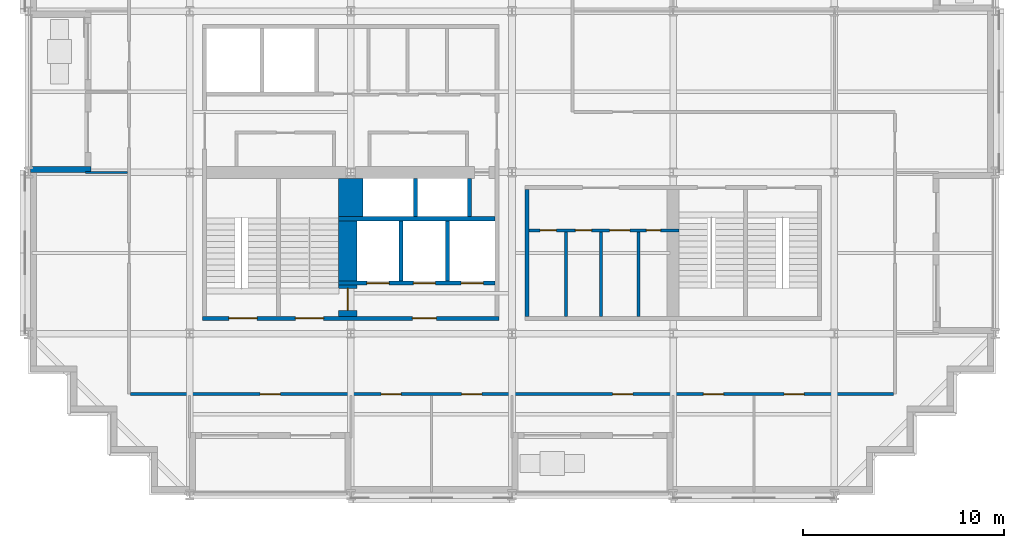
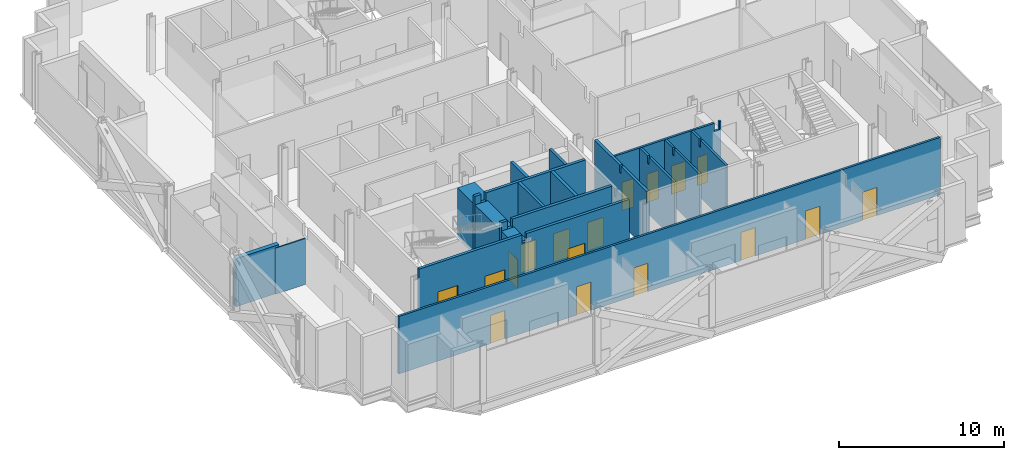
# One storey, part 5 of 14: 18 walls, 17 doors, 17 openings.
"""IFC4 building model written with IfcOpenShell, lengths in metres."""

from ifc_helpers import new_model, si_unit, direction, frame, frame_2d, origin, place, context, subcontext, project, spatial, polyline, rectangle, outline, extrude, material, layer, layer_set, type_object, element, fill, save


model = new_model("IFC4")

# Units and contexts
model_context = context("Model", 3, precision=1e-05, world=origin(), true_north=direction((0.0, 1.0)))
body_context = subcontext(model_context, "Body", "Model", "MODEL_VIEW")
ifc_project = project(units=[si_unit("LENGTHUNIT", "METRE"), si_unit("AREAUNIT", "SQUARE_METRE"), si_unit("VOLUMEUNIT", "CUBIC_METRE"), si_unit("PLANEANGLEUNIT", "RADIAN"), si_unit("MASSUNIT", "GRAM", prefix="KILO")], contexts=[model_context])

# Site, building, storey
site_placement = place(None, origin())
site = spatial("IfcSite", under=ifc_project, at=site_placement, CompositionType="ELEMENT")
building_placement = place(site_placement, origin())
building = spatial("IfcBuilding", under=site, at=building_placement, Name="Immortelle Media Tower", CompositionType="ELEMENT")
storey_placement = place(building_placement, frame((0.0, 0.0, 48.0)))
storey = spatial("IfcBuildingStorey", under=building, at=storey_placement, Name="L07", CompositionType="ELEMENT", Elevation=48.0)

# Wall, openings, doors
ifc_material_1 = material(Name="Fire-rated gypsum board", Category="gypsum")
ifc_layer_1 = layer(ifc_material_1, 0.02490234375)
ifc_material_2 = material(Name="Steel ASTM A653 SS Gr 50 stud frame with mineral wool", Category="steel")
ifc_layer_2 = layer(ifc_material_2, 0.10009765625)
ifc_layer_3 = layer(ifc_material_1, 0.02490234375)
ifc_layer_set_1 = layer_set([ifc_layer_1, ifc_layer_2, ifc_layer_3], Name="Steel ASTM A653 SS Gr 50 stud frame with mineral wool")
wall_type_1 = type_object("IfcWallType", Name="Core partition 150", PredefinedType="PARTITIONING", material=ifc_layer_set_1)
wall_1_placement = place(storey_placement, frame((24.85009765625, 13.125, 0.0), z_axis=(0.0, 0.0, 1.0), x_axis=(1.0, 0.0, 0.0)))
wall_1 = element("IfcWall", 1, at=wall_1_placement, inside=storey, type_object=wall_type_1, Name="Core partition SE", PredefinedType="PARTITIONING", context=body_context, shape_type="SweptSolid", body=[
    extrude(outline(polyline([(0.0, 0.0), (7.449951171875, 0.0), (7.449951171875, 4.25), (7.31689453125, 4.25), (7.31591796875, 3.632080078125), (6.98388671875, 3.632080078125), (6.98291015625, 4.25), (0.0, 4.25), (0.0, 0.0)])), frame((0.0, 0.074951171875, 0.0), z_axis=(0.0, -1.0, 0.0), x_axis=(1.0, 0.0, 0.0)), (0.0, 0.0, 1.0), 0.14990234375),
])
opening_1_placement = place(wall_1_placement, frame((1.35009765625, 0.0, 0.0), z_axis=(0.0, 0.0, 1.0), x_axis=(-1.0, 0.0, 0.0)))
opening_1 = element("IfcOpeningElement", 2, at=opening_1_placement, cuts=wall_1, Name="Opening N2-K017", PredefinedType="OPENING", context=body_context, shape_type="SweptSolid", body=[
    extrude(rectangle(XDim=0.800048828125, YDim=2.10009765625, at=frame_2d((0.39990234375, 1.050048828125))), frame((0.0, 0.0849609375, 0.0), z_axis=(0.0, -1.0, 0.0), x_axis=(1.0, 0.0, 0.0)), (0.0, 0.0, 1.0), 0.169921875),
])
opening_2_placement = place(wall_1_placement, frame((3.10009765625, 0.0, 0.0), z_axis=(0.0, 0.0, 1.0), x_axis=(-1.0, 0.0, 0.0)))
opening_2 = element("IfcOpeningElement", 3, at=opening_2_placement, cuts=wall_1, Name="Opening N2-K018", PredefinedType="OPENING", context=body_context, shape_type="SweptSolid", body=[
    extrude(rectangle(XDim=0.800048828125, YDim=2.10009765625, at=frame_2d((0.39990234375, 1.050048828125))), frame((0.0, 0.0849609375, 0.0), z_axis=(0.0, -1.0, 0.0), x_axis=(1.0, 0.0, 0.0)), (0.0, 0.0, 1.0), 0.169921875),
])
opening_3_placement = place(wall_1_placement, frame((5.0, 0.0, 0.0), z_axis=(0.0, 0.0, 1.0), x_axis=(-1.0, 0.0, 0.0)))
opening_3 = element("IfcOpeningElement", 4, at=opening_3_placement, cuts=wall_1, Name="Opening N2-K020", PredefinedType="OPENING", context=body_context, shape_type="SweptSolid", body=[
    extrude(rectangle(XDim=1.0, YDim=2.10009765625, at=frame_2d((0.5, 1.050048828125))), frame((0.0, 0.0849609375, 0.0), z_axis=(0.0, -1.0, 0.0), x_axis=(1.0, 0.0, 0.0)), (0.0, 0.0, 1.0), 0.169921875),
])
opening_4_placement = place(wall_1_placement, frame((6.52490234375, 0.0, 0.0), z_axis=(0.0, 0.0, 1.0), x_axis=(-1.0, 0.0, 0.0)))
opening_4 = element("IfcOpeningElement", 5, at=opening_4_placement, cuts=wall_1, Name="Opening N2-K021", PredefinedType="OPENING", context=body_context, shape_type="SweptSolid", body=[
    extrude(rectangle(XDim=0.699951171875, YDim=2.10009765625, at=frame_2d((0.35009765625, 1.050048828125))), frame((0.0, 0.0849609375, 0.0), z_axis=(0.0, -1.0, 0.0), x_axis=(1.0, 0.0, 0.0)), (0.0, 0.0, 1.0), 0.169921875),
])
ifc_material_3 = material(Name="Timber", Category="wood")
door_type_1 = type_object("IfcDoorType", Name="Accessible toilet door 1000 x 2100", OperationType="NOTDEFINED", PredefinedType="NOTDEFINED", material=ifc_material_3)
door_1_placement = place(opening_3_placement, origin())
door_1 = element("IfcDoor", 6, at=door_1_placement, inside=storey, type_object=door_type_1, Name="Accessible toilet N2-K020", OperationType="SINGLE_SWING_RIGHT", OverallHeight=2.10009765625, OverallWidth=1.0, PredefinedType="NOTDEFINED", context=body_context, shape_type="SweptSolid", body=[
    extrude(rectangle(XDim=1.0, YDim=2.10009765625, at=frame_2d((0.5, 1.050048828125))), frame((0.0, 0.02490234375, 0.0), z_axis=(0.0, -1.0, 0.0), x_axis=(1.0, 0.0, 0.0)), (0.0, 0.0, 1.0), 0.050048828125),
])
fill(opening_3, door_1)
ifc_material_4 = material(Name="Galvanised steel door leaf and frame ASTM A653", Category="steel")
door_type_2 = type_object("IfcDoorType", Name="Service door 700 x 2100", OperationType="NOTDEFINED", PredefinedType="NOTDEFINED", material=ifc_material_4)
door_2_placement = place(opening_4_placement, origin())
door_2 = element("IfcDoor", 7, at=door_2_placement, inside=storey, type_object=door_type_2, Name="Service N2-K021", OperationType="SINGLE_SWING_LEFT", OverallHeight=2.10009765625, OverallWidth=0.699951171875, PredefinedType="NOTDEFINED", context=body_context, shape_type="SweptSolid", body=[
    extrude(rectangle(XDim=0.699951171875, YDim=2.10009765625, at=frame_2d((0.35009765625, 1.050048828125))), frame((0.0, 0.02490234375, 0.0), z_axis=(0.0, -1.0, 0.0), x_axis=(1.0, 0.0, 0.0)), (0.0, 0.0, 1.0), 0.050048828125),
])
fill(opening_4, door_2)
door_type_3 = type_object("IfcDoorType", Name="Toilet door 800 x 2100", OperationType="NOTDEFINED", PredefinedType="NOTDEFINED", material=ifc_material_3)
door_3_placement = place(opening_1_placement, origin())
door_3 = element("IfcDoor", 8, at=door_3_placement, inside=storey, type_object=door_type_3, Name="Toilet N2-K017", OperationType="SINGLE_SWING_LEFT", OverallHeight=2.10009765625, OverallWidth=0.800048828125, PredefinedType="NOTDEFINED", context=body_context, shape_type="SweptSolid", body=[
    extrude(rectangle(XDim=0.800048828125, YDim=2.10009765625, at=frame_2d((0.39990234375, 1.050048828125))), frame((0.0, 0.02490234375, 0.0), z_axis=(0.0, -1.0, 0.0), x_axis=(1.0, 0.0, 0.0)), (0.0, 0.0, 1.0), 0.050048828125),
])
fill(opening_1, door_3)
door_4_placement = place(opening_2_placement, origin())
door_4 = element("IfcDoor", 9, at=door_4_placement, inside=storey, type_object=door_type_3, Name="Toilet N2-K018", OperationType="SINGLE_SWING_RIGHT", OverallHeight=2.10009765625, OverallWidth=0.800048828125, PredefinedType="NOTDEFINED", context=body_context, shape_type="SweptSolid", body=[
    extrude(rectangle(XDim=0.800048828125, YDim=2.10009765625, at=frame_2d((0.39990234375, 1.050048828125))), frame((0.0, 0.02490234375, 0.0), z_axis=(0.0, -1.0, 0.0), x_axis=(1.0, 0.0, 0.0)), (0.0, 0.0, 1.0), 0.050048828125),
])
fill(opening_2, door_4)

# Walls
for number, where, z_axis, x_axis, name in (
    (10, (26.675048828125, 8.85009765625, 0.0), (0.0, 0.0, 1.0), (0.0, 1.0, 0.0), "Core partition SE"),
    (11, (28.425048828125, 8.85009765625, 0.0), (0.0, 0.0, 1.0), (0.0, 1.0, 0.0), "Core partition SE"),
    (12, (30.27490234375, 8.85009765625, 0.0), (0.0, 0.0, 1.0), (0.0, 1.0, 0.0), "Core partition SE"),
):
    element("IfcWall", number, at=place(storey_placement, frame(where, z_axis=z_axis, x_axis=x_axis)), inside=storey, type_object=wall_type_1, Name=name, PredefinedType="PARTITIONING", context=body_context, shape_type="SweptSolid", body=[
        extrude(outline(polyline([(0.0, 0.0), (4.199951171875, 0.0), (4.199951171875, 4.25), (3.238525390625, 4.25), (3.237548828125, 3.7080078125), (3.0625, 3.7080078125), (3.0615234375, 4.25), (0.0, 4.25), (0.0, 0.0)])), frame((0.0, 0.074951171875, 0.0), z_axis=(0.0, -1.0, 0.0), x_axis=(1.0, 0.0, 0.0)), (0.0, 0.0, 1.0), 0.14990234375),
    ])

# Wall, openings, doors
ifc_layer_4 = layer(ifc_material_1, 0.03759765625)
ifc_layer_5 = layer(ifc_material_2, 0.125)
ifc_layer_6 = layer(ifc_material_1, 0.03759765625)
ifc_layer_set_2 = layer_set([ifc_layer_4, ifc_layer_5, ifc_layer_6], Name="Steel ASTM A653 SS Gr 50 stud frame with mineral wool")
wall_type_2 = type_object("IfcWallType", Name="Core shaft wall 200", PredefinedType="PARTITIONING", material=ifc_layer_set_2)
wall_2_placement = place(storey_placement, frame((15.39990234375, 10.5, 0.0), z_axis=(0.0, 0.0, 1.0), x_axis=(1.0, 0.0, 0.0)))
wall_2 = element("IfcWall", 13, at=wall_2_placement, inside=storey, type_object=wall_type_2, Name="Core shaft wall SW", PredefinedType="PARTITIONING", context=body_context, shape_type="SweptSolid", body=[
    extrude(outline(polyline([(0.0, 0.0), (7.75, 0.0), (7.75, 4.25), (0.76708984375, 4.25), (0.76611328125, 3.632080078125), (0.43408203125, 3.632080078125), (0.43310546875, 4.25), (0.0, 4.25), (0.0, 0.0)])), frame((0.0, 0.10009765625, 0.0), z_axis=(0.0, -1.0, 0.0), x_axis=(1.0, 0.0, 0.0)), (0.0, 0.0, 1.0), 0.199951171875),
])
opening_5_placement = place(wall_2_placement, frame((1.39990234375, 0.0, 0.0)))
opening_5 = element("IfcOpeningElement", 14, at=opening_5_placement, cuts=wall_2, Name="Opening LD", PredefinedType="OPENING", context=body_context, shape_type="SweptSolid", body=[
    extrude(rectangle(XDim=1.10009765625, YDim=2.10009765625, at=frame_2d((0.550048828125, 1.050048828125))), frame((0.0, 0.10986328125, 0.0), z_axis=(0.0, -1.0, 0.0), x_axis=(1.0, 0.0, 0.0)), (0.0, 0.0, 1.0), 0.219970703125),
])
opening_6_placement = place(wall_2_placement, frame((3.699951171875, 0.0, 0.0)))
opening_6 = element("IfcOpeningElement", 15, at=opening_6_placement, cuts=wall_2, Name="Opening LD", PredefinedType="OPENING", context=body_context, shape_type="SweptSolid", body=[
    extrude(rectangle(XDim=1.10009765625, YDim=2.10009765625, at=frame_2d((0.550048828125, 1.050048828125))), frame((0.0, 0.10986328125, 0.0), z_axis=(0.0, -1.0, 0.0), x_axis=(1.0, 0.0, 0.0)), (0.0, 0.0, 1.0), 0.219970703125),
])
opening_7_placement = place(wall_2_placement, frame((6.074951171875, 0.0, 0.0)))
opening_7 = element("IfcOpeningElement", 16, at=opening_7_placement, cuts=wall_2, Name="Opening LD", PredefinedType="OPENING", context=body_context, shape_type="SweptSolid", body=[
    extrude(rectangle(XDim=1.10009765625, YDim=2.10009765625, at=frame_2d((0.550048828125, 1.050048828125))), frame((0.0, 0.10986328125, 0.0), z_axis=(0.0, -1.0, 0.0), x_axis=(1.0, 0.0, 0.0)), (0.0, 0.0, 1.0), 0.219970703125),
])
ifc_material_5 = material(Name="Stainless steel AISI 304", Category="steel")
door_type_4 = type_object("IfcDoorType", Name="Landing door 1100 x 2100", OperationType="SLIDING_TO_LEFT", PredefinedType="NOTDEFINED", material=ifc_material_5)
door_5_placement = place(opening_5_placement, origin())
door_5 = element("IfcDoor", 17, at=door_5_placement, inside=storey, type_object=door_type_4, Name="Landing door FF1 L07", OperationType="SLIDING_TO_LEFT", OverallHeight=2.10009765625, OverallWidth=1.10009765625, PredefinedType="NOTDEFINED", context=body_context, shape_type="SweptSolid", body=[
    extrude(rectangle(XDim=1.10009765625, YDim=2.10009765625, at=frame_2d((0.550048828125, 1.050048828125))), frame((0.0, 0.02490234375, 0.0), z_axis=(0.0, -1.0, 0.0), x_axis=(1.0, 0.0, 0.0)), (0.0, 0.0, 1.0), 0.050048828125),
])
fill(opening_5, door_5)
door_6_placement = place(opening_6_placement, origin())
door_6 = element("IfcDoor", 18, at=door_6_placement, inside=storey, type_object=door_type_4, Name="Landing door FF2 L07", OperationType="SLIDING_TO_LEFT", OverallHeight=2.10009765625, OverallWidth=1.10009765625, PredefinedType="NOTDEFINED", context=body_context, shape_type="SweptSolid", body=[
    extrude(rectangle(XDim=1.10009765625, YDim=2.10009765625, at=frame_2d((0.550048828125, 1.050048828125))), frame((0.0, 0.02490234375, 0.0), z_axis=(0.0, -1.0, 0.0), x_axis=(1.0, 0.0, 0.0)), (0.0, 0.0, 1.0), 0.050048828125),
])
fill(opening_6, door_6)
door_7_placement = place(opening_7_placement, origin())
door_7 = element("IfcDoor", 19, at=door_7_placement, inside=storey, type_object=door_type_4, Name="Landing door FF3 L07", OperationType="SLIDING_TO_LEFT", OverallHeight=2.10009765625, OverallWidth=1.10009765625, PredefinedType="NOTDEFINED", context=body_context, shape_type="SweptSolid", body=[
    extrude(rectangle(XDim=1.10009765625, YDim=2.10009765625, at=frame_2d((0.550048828125, 1.050048828125))), frame((0.0, 0.02490234375, 0.0), z_axis=(0.0, -1.0, 0.0), x_axis=(1.0, 0.0, 0.0)), (0.0, 0.0, 1.0), 0.050048828125),
])
fill(opening_7, door_7)

# Walls
wall_3_placement = place(storey_placement, frame((15.39990234375, 13.699951171875, 0.0), z_axis=(0.0, 0.0, 1.0), x_axis=(1.0, 0.0, 0.0)))
element("IfcWall", 20, at=wall_3_placement, inside=storey, type_object=wall_type_2, Name="Core shaft wall SW", PredefinedType="PARTITIONING", context=body_context, shape_type="SweptSolid", body=[
    extrude(outline(polyline([(0.0, 0.0), (7.75, 0.0), (7.75, 4.25), (0.76708984375, 4.25), (0.76611328125, 3.632080078125), (0.43408203125, 3.632080078125), (0.43310546875, 4.25), (0.0, 4.25), (0.0, 0.0)])), frame((0.0, 0.10009765625, 0.0), z_axis=(0.0, -1.0, 0.0), x_axis=(1.0, 0.0, 0.0)), (0.0, 0.0, 1.0), 0.199951171875),
])
wall_4_placement = place(storey_placement, frame((18.5, 10.60009765625, 0.0), z_axis=(0.0, 0.0, 1.0), x_axis=(0.0, 1.0, 0.0)))
element("IfcWall", 21, at=wall_4_placement, inside=storey, type_object=wall_type_2, Name="Core shaft wall SW", PredefinedType="PARTITIONING", context=body_context, shape_type="SweptSolid", body=[
    extrude(rectangle(XDim=3.0, YDim=0.199951171875, at=frame_2d((1.5, 0.0))), origin(), (0.0, 0.0, 1.0), 4.25),
])
wall_5_placement = place(storey_placement, frame((19.199951171875, 13.800048828125, 0.0), z_axis=(0.0, 0.0, 1.0), x_axis=(0.0, 1.0, 0.0)))
element("IfcWall", 22, at=wall_5_placement, inside=storey, type_object=wall_type_2, Name="Core shaft wall SW", PredefinedType="PARTITIONING", context=body_context, shape_type="SweptSolid", body=[
    extrude(rectangle(XDim=1.89990234375, YDim=0.199951171875, at=frame_2d((0.949951171875, 0.0))), origin(), (0.0, 0.0, 1.0), 4.25),
])
wall_6_placement = place(storey_placement, frame((20.800048828125, 10.60009765625, 0.0), z_axis=(0.0, 0.0, 1.0), x_axis=(0.0, 1.0, 0.0)))
element("IfcWall", 23, at=wall_6_placement, inside=storey, type_object=wall_type_2, Name="Core shaft wall SW", PredefinedType="PARTITIONING", context=body_context, shape_type="SweptSolid", body=[
    extrude(rectangle(XDim=3.0, YDim=0.199951171875, at=frame_2d((1.5, 0.0))), origin(), (0.0, 0.0, 1.0), 4.25),
])
wall_7_placement = place(storey_placement, frame((21.89990234375, 13.800048828125, 0.0), z_axis=(0.0, 0.0, 1.0), x_axis=(0.0, 1.0, 0.0)))
element("IfcWall", 24, at=wall_7_placement, inside=storey, type_object=wall_type_2, Name="Core shaft wall SW", PredefinedType="PARTITIONING", context=body_context, shape_type="SweptSolid", body=[
    extrude(rectangle(XDim=1.89990234375, YDim=0.199951171875, at=frame_2d((0.949951171875, 0.0))), origin(), (0.0, 0.0, 1.0), 4.25),
])
wall_8_placement = place(storey_placement, frame((24.75, 8.85009765625, 0.0), z_axis=(0.0, 0.0, 1.0), x_axis=(0.0, 1.0, 0.0)))
element("IfcWall", 25, at=wall_8_placement, inside=storey, type_object=wall_type_2, Name="Core shaft wall SE", PredefinedType="PARTITIONING", context=body_context, shape_type="SweptSolid", body=[
    extrude(outline(polyline([(0.0, 0.0), (6.2998046875, 0.0), (6.300048828125, 4.25), (3.238525390625, 4.25), (3.237548828125, 3.7080078125), (3.0625, 3.7080078125), (3.0615234375, 4.25), (0.0, 4.25), (0.0, 0.0)])), frame((0.0, 0.10009765625, 0.0), z_axis=(0.0, -1.0, 0.0), x_axis=(1.0, 0.0, 0.0)), (0.0, 0.0, 1.0), 0.199951171875),
])

# Wall, openings, doors
ifc_layer_7 = layer(ifc_material_1, 0.012451171875)
ifc_layer_8 = layer(ifc_material_2, 0.125)
ifc_layer_9 = layer(ifc_material_1, 0.012451171875)
ifc_layer_set_3 = layer_set([ifc_layer_7, ifc_layer_8, ifc_layer_9], Name="Steel ASTM A653 SS Gr 50 stud frame with mineral wool")
wall_type_3 = type_object("IfcWallType", Name="Corridor wall 150", PredefinedType="PARTITIONING", material=ifc_layer_set_3)
wall_9_placement = place(storey_placement, frame((5.074951171875, 5.0, 0.0), z_axis=(0.0, 0.0, 1.0), x_axis=(1.0, 0.0, 0.0)))
wall_9 = element("IfcWall", 26, at=wall_9_placement, inside=storey, type_object=wall_type_3, Name="Partition L07-007", PredefinedType="PARTITIONING", context=body_context, shape_type="SweptSolid", body=[
    extrude(rectangle(XDim=37.85009765625, YDim=0.14990234375, at=frame_2d((18.925048828125, 0.0))), origin(), (0.0, 0.0, 1.0), 4.25),
])
opening_8_placement = place(wall_9_placement, frame((13.425048828125, 0.0, 0.0), z_axis=(0.0, 0.0, 1.0), x_axis=(-1.0, 0.0, 0.0)))
opening_8 = element("IfcOpeningElement", 27, at=opening_8_placement, cuts=wall_9, Name="Opening N2-F001", PredefinedType="OPENING", context=body_context, shape_type="SweptSolid", body=[
    extrude(rectangle(XDim=1.0, YDim=2.10009765625, at=frame_2d((0.5, 1.050048828125))), frame((0.0, 0.0849609375, 0.0), z_axis=(0.0, -1.0, 0.0), x_axis=(1.0, 0.0, 0.0)), (0.0, 0.0, 1.0), 0.169921875),
])
opening_9_placement = place(wall_9_placement, frame((17.425048828125, 0.0, 0.0), z_axis=(0.0, 0.0, 1.0), x_axis=(-1.0, 0.0, 0.0)))
opening_9 = element("IfcOpeningElement", 28, at=opening_9_placement, cuts=wall_9, Name="Opening N2-F002", PredefinedType="OPENING", context=body_context, shape_type="SweptSolid", body=[
    extrude(rectangle(XDim=1.0, YDim=2.10009765625, at=frame_2d((0.5, 1.050048828125))), frame((0.0, 0.0849609375, 0.0), z_axis=(0.0, -1.0, 0.0), x_axis=(1.0, 0.0, 0.0)), (0.0, 0.0, 1.0), 0.169921875),
])
opening_10_placement = place(wall_9_placement, frame((29.425048828125, 0.0, 0.0), z_axis=(0.0, 0.0, 1.0), x_axis=(-1.0, 0.0, 0.0)))
opening_10 = element("IfcOpeningElement", 29, at=opening_10_placement, cuts=wall_9, Name="Opening N2-F003", PredefinedType="OPENING", context=body_context, shape_type="SweptSolid", body=[
    extrude(rectangle(XDim=1.0, YDim=2.10009765625, at=frame_2d((0.5, 1.050048828125))), frame((0.0, 0.0849609375, 0.0), z_axis=(0.0, -1.0, 0.0), x_axis=(1.0, 0.0, 0.0)), (0.0, 0.0, 1.0), 0.169921875),
])
opening_11_placement = place(wall_9_placement, frame((33.425048828125, 0.0, 0.0), z_axis=(0.0, 0.0, 1.0), x_axis=(-1.0, 0.0, 0.0)))
opening_11 = element("IfcOpeningElement", 30, at=opening_11_placement, cuts=wall_9, Name="Opening N2-F004", PredefinedType="OPENING", context=body_context, shape_type="SweptSolid", body=[
    extrude(rectangle(XDim=1.0, YDim=2.10009765625, at=frame_2d((0.5, 1.050048828125))), frame((0.0, 0.0849609375, 0.0), z_axis=(0.0, -1.0, 0.0), x_axis=(1.0, 0.0, 0.0)), (0.0, 0.0, 1.0), 0.169921875),
])
opening_12_placement = place(wall_9_placement, frame((7.425048828125, 0.0, 0.0), z_axis=(0.0, 0.0, 1.0), x_axis=(-1.0, 0.0, 0.0)))
opening_12 = element("IfcOpeningElement", 31, at=opening_12_placement, cuts=wall_9, Name="Opening N2-F005", PredefinedType="OPENING", context=body_context, shape_type="SweptSolid", body=[
    extrude(rectangle(XDim=1.0, YDim=2.10009765625, at=frame_2d((0.5, 1.050048828125))), frame((0.0, 0.0849609375, 0.0), z_axis=(0.0, -1.0, 0.0), x_axis=(1.0, 0.0, 0.0)), (0.0, 0.0, 1.0), 0.169921875),
])
opening_13_placement = place(wall_9_placement, frame((24.925048828125, 0.0, 0.0), z_axis=(0.0, 0.0, 1.0), x_axis=(-1.0, 0.0, 0.0)))
opening_13 = element("IfcOpeningElement", 32, at=opening_13_placement, cuts=wall_9, Name="Opening N2-F006", PredefinedType="OPENING", context=body_context, shape_type="SweptSolid", body=[
    extrude(rectangle(XDim=1.0, YDim=2.10009765625, at=frame_2d((0.5, 1.050048828125))), frame((0.0, 0.0849609375, 0.0), z_axis=(0.0, -1.0, 0.0), x_axis=(1.0, 0.0, 0.0)), (0.0, 0.0, 1.0), 0.169921875),
])
ifc_material_6 = material(Name="Timber veneered door leaf, galvanised steel frame ASTM A653", Category="steel")
door_type_5 = type_object("IfcDoorType", Name="Room door 1000 x 2100", OperationType="NOTDEFINED", PredefinedType="DOOR", material=ifc_material_6)
door_8_placement = place(opening_8_placement, origin())
door_8 = element("IfcDoor", 33, at=door_8_placement, inside=storey, type_object=door_type_5, Name="Door N2-F001", OperationType="SINGLE_SWING_RIGHT", OverallHeight=2.10009765625, OverallWidth=1.0, PredefinedType="DOOR", context=body_context, shape_type="SweptSolid", body=[
    extrude(rectangle(XDim=1.0, YDim=2.10009765625, at=frame_2d((0.5, 1.050048828125))), frame((0.0, 0.02490234375, 0.0), z_axis=(0.0, -1.0, 0.0), x_axis=(1.0, 0.0, 0.0)), (0.0, 0.0, 1.0), 0.050048828125),
])
fill(opening_8, door_8)
door_9_placement = place(opening_9_placement, origin())
door_9 = element("IfcDoor", 34, at=door_9_placement, inside=storey, type_object=door_type_5, Name="Door N2-F002", OperationType="SINGLE_SWING_LEFT", OverallHeight=2.10009765625, OverallWidth=1.0, PredefinedType="DOOR", context=body_context, shape_type="SweptSolid", body=[
    extrude(rectangle(XDim=1.0, YDim=2.10009765625, at=frame_2d((0.5, 1.050048828125))), frame((0.0, 0.02490234375, 0.0), z_axis=(0.0, -1.0, 0.0), x_axis=(1.0, 0.0, 0.0)), (0.0, 0.0, 1.0), 0.050048828125),
])
fill(opening_9, door_9)
door_10_placement = place(opening_10_placement, origin())
door_10 = element("IfcDoor", 35, at=door_10_placement, inside=storey, type_object=door_type_5, Name="Door N2-F003", OperationType="SINGLE_SWING_RIGHT", OverallHeight=2.10009765625, OverallWidth=1.0, PredefinedType="DOOR", context=body_context, shape_type="SweptSolid", body=[
    extrude(rectangle(XDim=1.0, YDim=2.10009765625, at=frame_2d((0.5, 1.050048828125))), frame((0.0, 0.02490234375, 0.0), z_axis=(0.0, -1.0, 0.0), x_axis=(1.0, 0.0, 0.0)), (0.0, 0.0, 1.0), 0.050048828125),
])
fill(opening_10, door_10)
door_11_placement = place(opening_11_placement, origin())
door_11 = element("IfcDoor", 36, at=door_11_placement, inside=storey, type_object=door_type_5, Name="Door N2-F004", OperationType="SINGLE_SWING_RIGHT", OverallHeight=2.10009765625, OverallWidth=1.0, PredefinedType="DOOR", context=body_context, shape_type="SweptSolid", body=[
    extrude(rectangle(XDim=1.0, YDim=2.10009765625, at=frame_2d((0.5, 1.050048828125))), frame((0.0, 0.02490234375, 0.0), z_axis=(0.0, -1.0, 0.0), x_axis=(1.0, 0.0, 0.0)), (0.0, 0.0, 1.0), 0.050048828125),
])
fill(opening_11, door_11)
door_12_placement = place(opening_12_placement, origin())
door_12 = element("IfcDoor", 37, at=door_12_placement, inside=storey, type_object=door_type_5, Name="Door N2-F005", OperationType="SINGLE_SWING_LEFT", OverallHeight=2.10009765625, OverallWidth=1.0, PredefinedType="DOOR", context=body_context, shape_type="SweptSolid", body=[
    extrude(rectangle(XDim=1.0, YDim=2.10009765625, at=frame_2d((0.5, 1.050048828125))), frame((0.0, 0.02490234375, 0.0), z_axis=(0.0, -1.0, 0.0), x_axis=(1.0, 0.0, 0.0)), (0.0, 0.0, 1.0), 0.050048828125),
])
fill(opening_12, door_12)
door_13_placement = place(opening_13_placement, origin())
door_13 = element("IfcDoor", 38, at=door_13_placement, inside=storey, type_object=door_type_5, Name="Door N2-F006", OperationType="SINGLE_SWING_LEFT", OverallHeight=2.10009765625, OverallWidth=1.0, PredefinedType="DOOR", context=body_context, shape_type="SweptSolid", body=[
    extrude(rectangle(XDim=1.0, YDim=2.10009765625, at=frame_2d((0.5, 1.050048828125))), frame((0.0, 0.02490234375, 0.0), z_axis=(0.0, -1.0, 0.0), x_axis=(1.0, 0.0, 0.0)), (0.0, 0.0, 1.0), 0.050048828125),
])
fill(opening_13, door_13)

# Walls
ifc_material_7 = material(Name="Pale aluminium cladding panel", Category="aluminium")
ifc_layer_10 = layer(ifc_material_7, 0.030029296875)
ifc_layer_11 = layer(ifc_material_2, 0.257568359375)
ifc_material_8 = material(Name="Moisture-resistant gypsum board", Category="gypsum")
ifc_layer_12 = layer(ifc_material_8, 0.012451171875)
ifc_layer_set_4 = layer_set([ifc_layer_10, ifc_layer_11, ifc_layer_12], Name="Steel ASTM A653 SS Gr 50 stud frame with mineral wool")
wall_type_4 = type_object("IfcWallType", Name="Facade wall 300", PredefinedType="SOLIDWALL", material=ifc_layer_set_4)
wall_10_placement = place(storey_placement, frame((0.10009765625, 16.14990234375, 0.0), z_axis=(0.0, 0.0, 1.0), x_axis=(1.0, 0.0, 0.0)))
element("IfcWall", 39, at=wall_10_placement, inside=storey, type_object=wall_type_4, Name="Loggia cheek wall L07 W", PredefinedType="SOLIDWALL", context=body_context, shape_type="SweptSolid", body=[
    extrude(rectangle(XDim=3.0, YDim=0.300048828125, at=frame_2d((1.5, 0.0))), origin(), (0.0, 0.0, 1.0), 3.552978515625),
])
ifc_material_9 = material(Name="Gypsum board", Category="gypsum")
ifc_layer_13 = layer(ifc_material_9, 0.012451171875)
ifc_layer_14 = layer(ifc_material_2, 0.074951171875)
ifc_layer_15 = layer(ifc_material_9, 0.012451171875)
ifc_layer_set_5 = layer_set([ifc_layer_13, ifc_layer_14, ifc_layer_15], Name="Steel ASTM A653 SS Gr 50 stud frame with mineral wool")
wall_type_5 = type_object("IfcWallType", Name="Partition 100", PredefinedType="PARTITIONING", material=ifc_layer_set_5)
wall_11_placement = place(storey_placement, frame((2.830078125, 16.0, 0.0), z_axis=(0.0, 0.0, 1.0), x_axis=(1.0, 0.0, 0.0)))
element("IfcWall", 40, at=wall_11_placement, inside=storey, type_object=wall_type_5, Name="Partition L07-011", PredefinedType="PARTITIONING", context=body_context, shape_type="SweptSolid", body=[
    extrude(rectangle(XDim=2.094970703125, YDim=0.10009765625, at=frame_2d((1.04736328125, 0.0))), origin(), (0.0, 0.0, 1.0), 3.39111328125),
])
ifc_material_10 = material(Name="Concrete C60", Category="concrete")
ifc_layer_16 = layer(ifc_material_10, 1.199951171875)
ifc_layer_set_6 = layer_set([ifc_layer_16], Name="Concrete C60")
wall_type_6 = type_object("IfcWallType", Name="Stair shaft wall 1200", PredefinedType="PARTITIONING", material=ifc_layer_set_6)
wall_12_placement = place(storey_placement, frame((16.0, 13.800048828125, 0.0), z_axis=(0.0, 0.0, 1.0), x_axis=(0.0, 1.0, 0.0)))
element("IfcWall", 41, at=wall_12_placement, inside=storey, type_object=wall_type_6, Name="Stair shaft wall SW", PredefinedType="PARTITIONING", context=body_context, shape_type="SweptSolid", body=[
    extrude(rectangle(XDim=1.89990234375, YDim=1.199951171875, at=frame_2d((0.949951171875, 0.0))), origin(), (0.0, 0.0, 1.0), 3.632080078125),
])

# Wall, openings, doors
ifc_layer_17 = layer(ifc_material_10, 0.199951171875)
ifc_layer_set_7 = layer_set([ifc_layer_17], Name="Concrete C60")
wall_type_7 = type_object("IfcWallType", Name="Stair shaft wall 200", PredefinedType="PARTITIONING", material=ifc_layer_set_7)
wall_13_placement = place(storey_placement, frame((8.64990234375, 8.75, 0.0), z_axis=(0.0, 0.0, 1.0), x_axis=(1.0, 0.0, 0.0)))
wall_13 = element("IfcWall", 42, at=wall_13_placement, inside=storey, type_object=wall_type_7, Name="Stair shaft wall SW", PredefinedType="PARTITIONING", context=body_context, shape_type="SweptSolid", body=[
    extrude(outline(polyline([(0.0, 0.0), (14.7001953125, 0.0), (14.699951171875, 4.25), (7.51708984375, 4.25), (7.51611328125, 3.632080078125), (7.18408203125, 3.632080078125), (7.18310546875, 4.25), (0.0, 4.25), (0.0, 0.0)])), frame((0.0, 0.10009765625, 0.0), z_axis=(0.0, -1.0, 0.0), x_axis=(1.0, 0.0, 0.0)), (0.0, 0.0, 1.0), 0.199951171875),
])
opening_14_placement = place(wall_13_placement, frame((1.300048828125, 0.0, 0.0)))
opening_14 = element("IfcOpeningElement", 43, at=opening_14_placement, cuts=wall_13, Name="Opening N2-K002", PredefinedType="OPENING", context=body_context, shape_type="SweptSolid", body=[
    extrude(rectangle(XDim=1.39990234375, YDim=2.10009765625, at=frame_2d((0.699951171875, 1.050048828125))), frame((0.0, 0.10986328125, 0.0), z_axis=(0.0, -1.0, 0.0), x_axis=(1.0, 0.0, 0.0)), (0.0, 0.0, 1.0), 0.219970703125),
])
opening_15_placement = place(wall_13_placement, frame((4.60009765625, 0.0, 0.0)))
opening_15 = element("IfcOpeningElement", 44, at=opening_15_placement, cuts=wall_13, Name="Opening N2-K004", PredefinedType="OPENING", context=body_context, shape_type="SweptSolid", body=[
    extrude(rectangle(XDim=1.39990234375, YDim=2.10009765625, at=frame_2d((0.699951171875, 1.050048828125))), frame((0.0, 0.10986328125, 0.0), z_axis=(0.0, -1.0, 0.0), x_axis=(1.0, 0.0, 0.0)), (0.0, 0.0, 1.0), 0.219970703125),
])
opening_16_placement = place(wall_13_placement, frame((10.39990234375, 0.0, 0.0)))
opening_16 = element("IfcOpeningElement", 45, at=opening_16_placement, cuts=wall_13, Name="Opening N2-K010", PredefinedType="OPENING", context=body_context, shape_type="SweptSolid", body=[
    extrude(rectangle(XDim=1.199951171875, YDim=2.10009765625, at=frame_2d((0.60009765625, 1.050048828125))), frame((0.0, 0.10986328125, 0.0), z_axis=(0.0, -1.0, 0.0), x_axis=(1.0, 0.0, 0.0)), (0.0, 0.0, 1.0), 0.219970703125),
])
door_type_6 = type_object("IfcDoorType", Name="Fire-fighting lobby door 1200 x 2100", OperationType="NOTDEFINED", PredefinedType="NOTDEFINED", material=ifc_material_4)
door_14_placement = place(opening_16_placement, origin())
door_14 = element("IfcDoor", 46, at=door_14_placement, inside=storey, type_object=door_type_6, Name="Fire-fighting lobby N2-K010", OperationType="SINGLE_SWING_RIGHT", OverallHeight=2.10009765625, OverallWidth=1.199951171875, PredefinedType="NOTDEFINED", context=body_context, shape_type="SweptSolid", body=[
    extrude(rectangle(XDim=1.199951171875, YDim=2.10009765625, at=frame_2d((0.60009765625, 1.050048828125))), frame((0.0, 0.02490234375, 0.0), z_axis=(0.0, -1.0, 0.0), x_axis=(1.0, 0.0, 0.0)), (0.0, 0.0, 1.0), 0.050048828125),
])
fill(opening_16, door_14)
door_type_7 = type_object("IfcDoorType", Name="Stair door 1400 x 2100", OperationType="DOUBLE_DOOR_SINGLE_SWING", PredefinedType="NOTDEFINED", material=ifc_material_4)
door_15_placement = place(opening_14_placement, origin())
door_15 = element("IfcDoor", 47, at=door_15_placement, inside=storey, type_object=door_type_7, Name="Stair N2-K002", OperationType="DOUBLE_DOOR_SINGLE_SWING", OverallHeight=2.10009765625, OverallWidth=1.39990234375, PredefinedType="NOTDEFINED", context=body_context, shape_type="SweptSolid", body=[
    extrude(rectangle(XDim=1.39990234375, YDim=2.10009765625, at=frame_2d((0.699951171875, 1.050048828125))), frame((0.0, 0.02490234375, 0.0), z_axis=(0.0, -1.0, 0.0), x_axis=(1.0, 0.0, 0.0)), (0.0, 0.0, 1.0), 0.050048828125),
])
fill(opening_14, door_15)
door_16_placement = place(opening_15_placement, origin())
door_16 = element("IfcDoor", 48, at=door_16_placement, inside=storey, type_object=door_type_7, Name="Stair N2-K004", OperationType="DOUBLE_DOOR_SINGLE_SWING", OverallHeight=2.10009765625, OverallWidth=1.39990234375, PredefinedType="NOTDEFINED", context=body_context, shape_type="SweptSolid", body=[
    extrude(rectangle(XDim=1.39990234375, YDim=2.10009765625, at=frame_2d((0.699951171875, 1.050048828125))), frame((0.0, 0.02490234375, 0.0), z_axis=(0.0, -1.0, 0.0), x_axis=(1.0, 0.0, 0.0)), (0.0, 0.0, 1.0), 0.050048828125),
])
fill(opening_15, door_16)

# Wall, opening, door
ifc_layer_18 = layer(ifc_material_10, 0.89990234375)
ifc_layer_set_8 = layer_set([ifc_layer_18], Name="Concrete C60")
wall_type_8 = type_object("IfcWallType", Name="Stair shaft wall 900", PredefinedType="PARTITIONING", material=ifc_layer_set_8)
wall_14_placement = place(storey_placement, frame((15.85009765625, 8.85009765625, 0.0), z_axis=(0.0, 0.0, 1.0), x_axis=(0.0, 1.0, 0.0)))
wall_14 = element("IfcWall", 49, at=wall_14_placement, inside=storey, type_object=wall_type_8, Name="Stair shaft wall SW", PredefinedType="PARTITIONING", context=body_context, shape_type="SweptSolid", body=[
    extrude(rectangle(XDim=1.5498046875, YDim=0.89990234375, at=frame_2d((0.77490234375, 0.0))), origin(), (0.0, 0.0, 1.0), 3.632080078125),
])
opening_17_placement = place(wall_14_placement, frame((0.300048828125, 0.0, 0.0)))
opening_17 = element("IfcOpeningElement", 50, at=opening_17_placement, cuts=wall_14, Name="Opening N2-K006", PredefinedType="OPENING", context=body_context, shape_type="SweptSolid", body=[
    extrude(rectangle(XDim=1.10009765625, YDim=2.10009765625, at=frame_2d((0.550048828125, 1.050048828125))), frame((0.0, 0.4599609375, 0.0), z_axis=(0.0, -1.0, 0.0), x_axis=(1.0, 0.0, 0.0)), (0.0, 0.0, 1.0), 0.919921875),
])
door_type_8 = type_object("IfcDoorType", Name="Stair lobby door 1100 x 2100", OperationType="NOTDEFINED", PredefinedType="NOTDEFINED", material=ifc_material_4)
door_17_placement = place(opening_17_placement, origin())
door_17 = element("IfcDoor", 51, at=door_17_placement, inside=storey, type_object=door_type_8, Name="Stair lobby N2-K006", OperationType="SINGLE_SWING_LEFT", OverallHeight=2.10009765625, OverallWidth=1.10009765625, PredefinedType="NOTDEFINED", context=body_context, shape_type="SweptSolid", body=[
    extrude(rectangle(XDim=1.10009765625, YDim=2.10009765625, at=frame_2d((0.550048828125, 1.050048828125))), frame((0.0, 0.02490234375, 0.0), z_axis=(0.0, -1.0, 0.0), x_axis=(1.0, 0.0, 0.0)), (0.0, 0.0, 1.0), 0.050048828125),
])
fill(opening_17, door_17)

# Wall
wall_15_placement = place(storey_placement, frame((15.85009765625, 10.60009765625, 0.0), z_axis=(0.0, 0.0, 1.0), x_axis=(0.0, 1.0, 0.0)))
element("IfcWall", 52, at=wall_15_placement, inside=storey, type_object=wall_type_8, Name="Stair shaft wall SW", PredefinedType="PARTITIONING", context=body_context, shape_type="SweptSolid", body=[
    extrude(rectangle(XDim=3.0, YDim=0.89990234375, at=frame_2d((1.5, 0.0))), origin(), (0.0, 0.0, 1.0), 3.632080078125),
])

save(model, "model.ifc")
